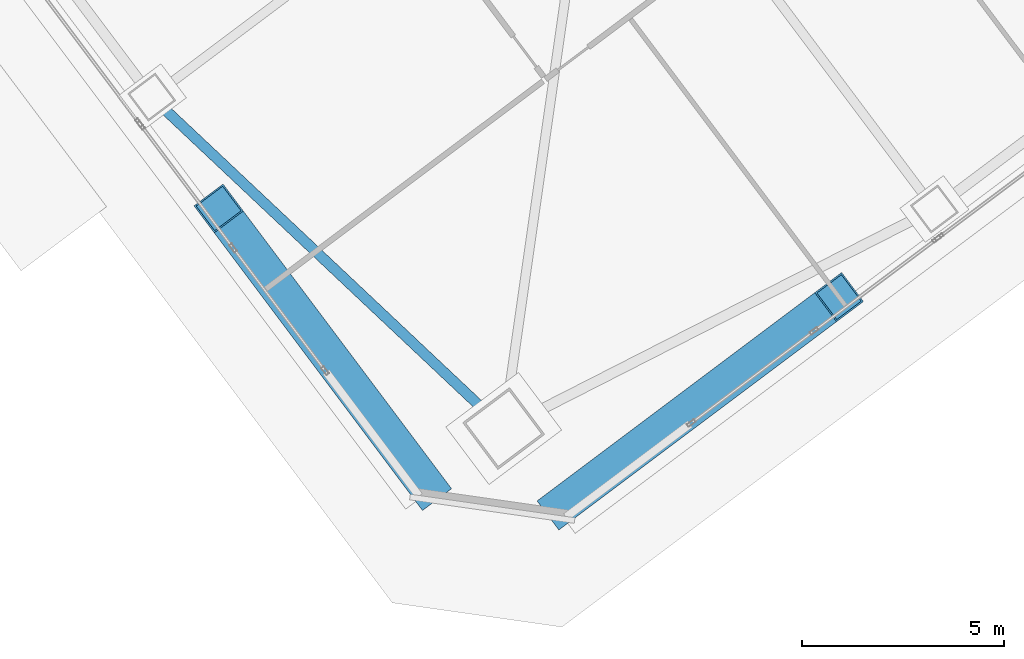
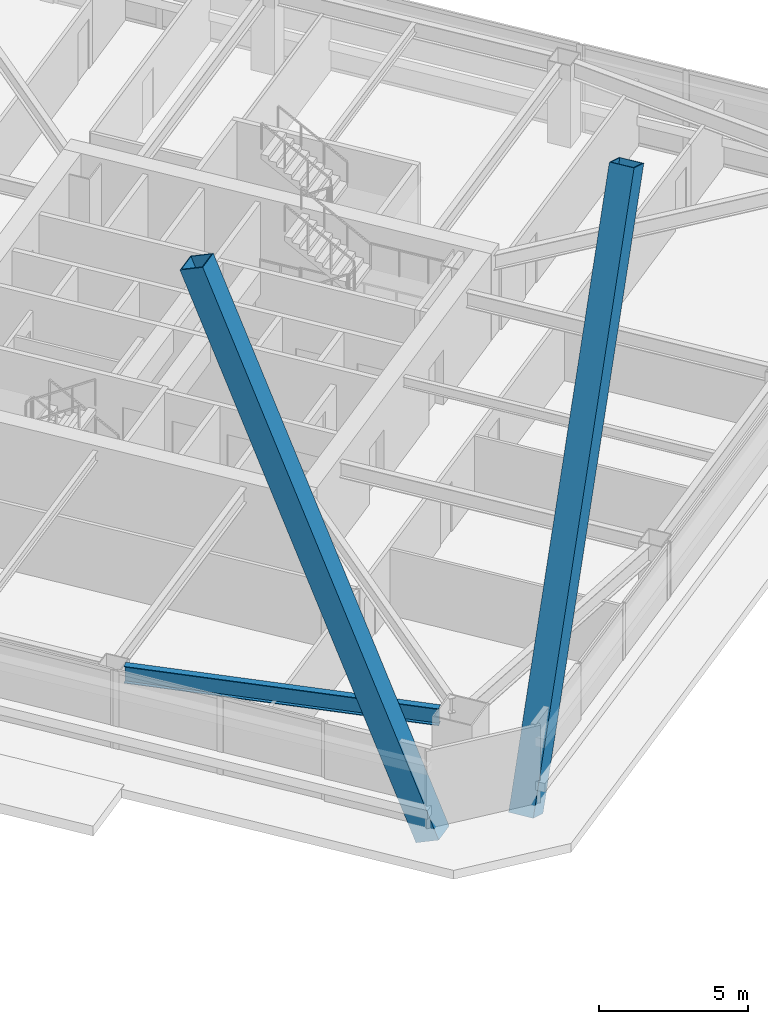
# One storey, part 32 of 67: 2 members, 1 beam.
"""IFC4 building model written with IfcOpenShell, lengths in metres."""

from ifc_helpers import new_model, si_unit, direction, frame, origin, origin_2d, place, context, subcontext, project, spatial, hollow_rectangle, i_section, extrude, material, material_profile, profile_set, type_object, element, save


model = new_model("IFC4")

# Units and contexts
model_context = context("Model", 3, precision=1e-05, world=origin(), true_north=direction((0.0, 1.0)))
body_context = subcontext(model_context, "Body", "Model", "MODEL_VIEW")
ifc_project = project(units=[si_unit("LENGTHUNIT", "METRE"), si_unit("AREAUNIT", "SQUARE_METRE"), si_unit("VOLUMEUNIT", "CUBIC_METRE"), si_unit("PLANEANGLEUNIT", "RADIAN"), si_unit("MASSUNIT", "GRAM", prefix="KILO")], contexts=[model_context])

# Site, building, storey
site_placement = place(None, origin())
site = spatial("IfcSite", under=ifc_project, at=site_placement, CompositionType="ELEMENT")
building_placement = place(site_placement, origin())
building = spatial("IfcBuilding", under=site, at=building_placement, Name="Tashvorn Skyway Center", CompositionType="ELEMENT")
storey_placement = place(building_placement, frame((0.0, 0.0, 67.199951171875)))
storey = spatial("IfcBuildingStorey", under=building, at=storey_placement, Name="L17", CompositionType="ELEMENT", Elevation=67.199951171875)

# Beam
ifc_material_1 = material(Name="Steel ASTM A992 Grade 50", Category="steel")
ifc_material_profile_1 = material_profile(ifc_material_1, i_section(OverallWidth=0.256103515625, OverallDepth=0.693115234375, WebThickness=0.014404296875, FlangeThickness=0.023681640625, at=origin_2d()), Name="W27X114")
ifc_profile_set_1 = profile_set([ifc_material_profile_1], Name="Steel ASTM A992 Grade 50")
beam_type = type_object("IfcBeamType", Name="BM-SPANDREL-W27X114", PredefinedType="SPANDREL", material=ifc_profile_set_1)
beam_placement = place(storey_placement, frame((102.145751953125, 15.842041015625, 3.003662109375), z_axis=(0.728086883893, -0.685484857238, 0.0), x_axis=(0.685484857238, 0.728086883893, 0.0)))
element("IfcBeam", 1, at=beam_placement, inside=storey, type_object=beam_type, Name="Tower 2 L17 Spandrel Beam 12", PredefinedType="SPANDREL", context=body_context, shape_type="SweptSolid", body=[
    extrude(i_section(OverallWidth=0.256103515625, OverallDepth=0.693115234375, WebThickness=0.014404296875, FlangeThickness=0.023681640625, at=origin_2d()), origin(), (0.0, 0.0, 1.0), 10.8369140625),
])

# Members
ifc_material_2 = material(Name="Steel ASTM A572 Grade 50", Category="steel")
ifc_material_profile_2 = material_profile(ifc_material_2, hollow_rectangle(XDim=0.89990234375, YDim=0.89990234375, WallThickness=0.0400390625, at=origin_2d()), Name="BOX900x900x40")
ifc_profile_set_2 = profile_set([ifc_material_profile_2], Name="Steel ASTM A572 Grade 50")
member_type = type_object("IfcMemberType", Name="MEM-MB-900", PredefinedType="BRACE", material=ifc_profile_set_2)
for number, where, z_axis, x_axis, name in (
    (2, (111.988037109375, 6.01611328125, -0.219970703125), (0.302312343137, 0.226734257353, 0.92585032469), (-0.6, 0.8, 0.0), "Tower 2 Zone 2 S Chevron Mega-Brace L1"),
    (3, (108.656005859375, 6.491943359375, -0.219970703125), (-0.226733522004, 0.302322090541, 0.925847321954), (-0.800010219666, -0.599986373537, 0.0), "Tower 2 Zone 2 W Chevron Mega-Brace R1"),
):
    element("IfcMember", number, at=place(storey_placement, frame(where, z_axis=z_axis, x_axis=x_axis)), inside=storey, type_object=member_type, Name=name, PredefinedType="BRACE", context=body_context, shape_type="SweptSolid", body=[
        extrude(hollow_rectangle(XDim=0.89990234375, YDim=0.89990234375, WallThickness=0.0400390625, at=origin_2d()), origin(), (0.0, 0.0, 1.0), 22.757568359375),
    ])

save(model, "model.ifc")
